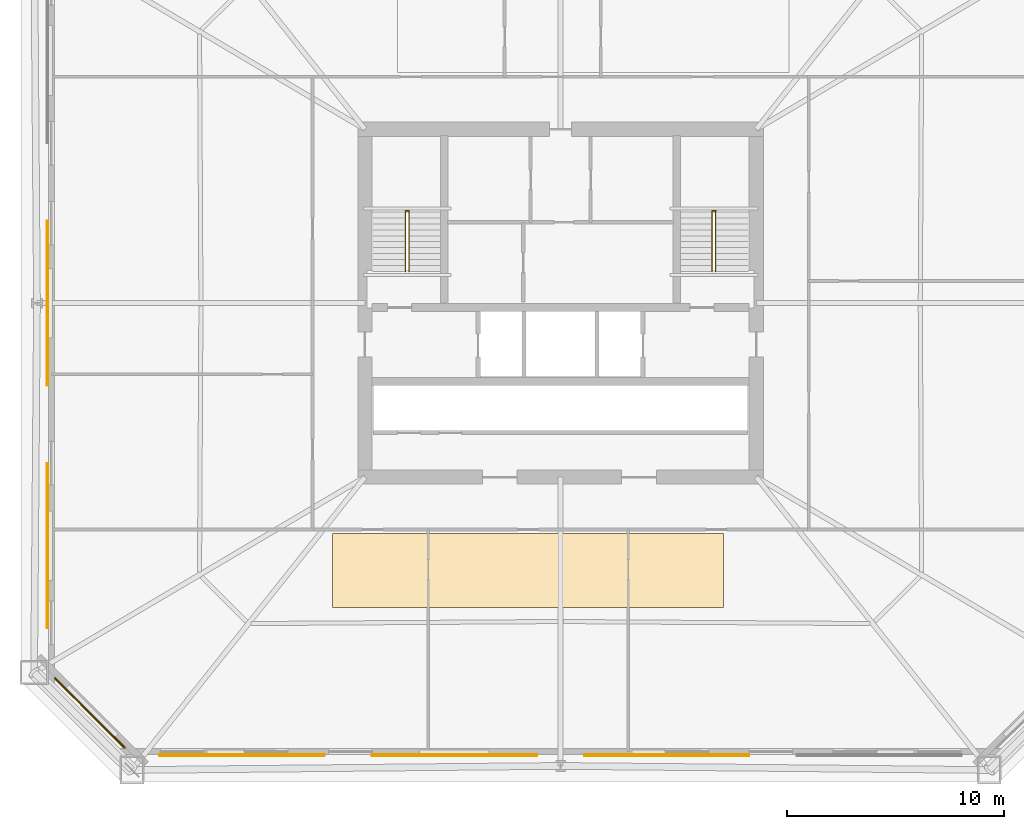
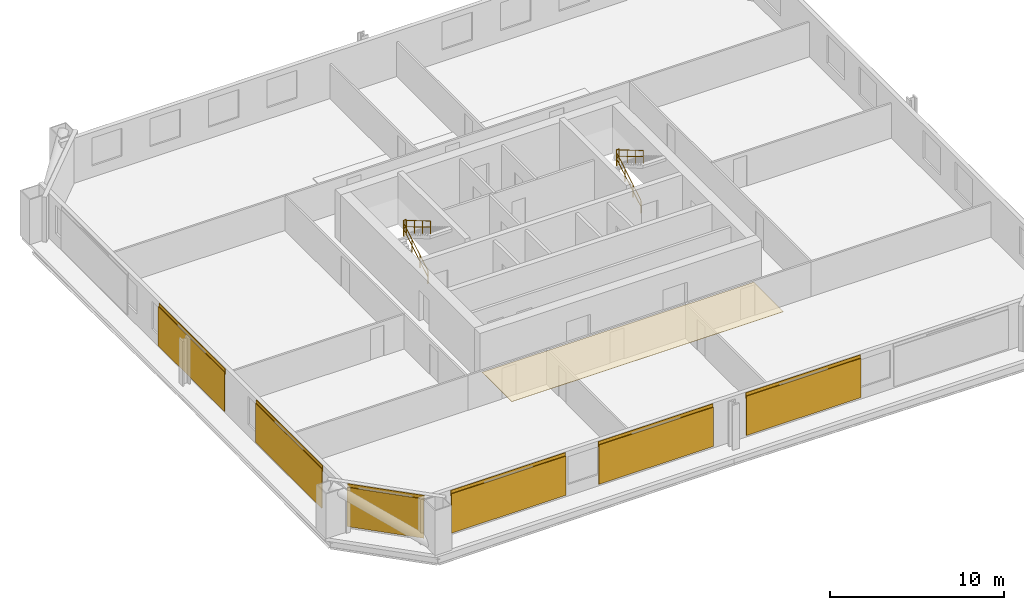
# One storey, part 6 of 7: 7 coverings, 6 railings, 6 shading devices.
"""IFC4 building model written with IfcOpenShell, lengths in metres."""

from ifc_helpers import new_model, si_unit, direction, frame, origin, origin_2d, place, context, subcontext, project, spatial, polyline, rectangle, circle, outline, extrude, material, layer, layer_set, type_object, element, save


model = new_model("IFC4")

# Units and contexts
model_context = context("Model", 3, precision=1e-05, world=origin(), true_north=direction((0.0, 1.0)))
body_context = subcontext(model_context, "Body", "Model", "MODEL_VIEW")
ifc_project = project(units=[si_unit("LENGTHUNIT", "METRE"), si_unit("AREAUNIT", "SQUARE_METRE"), si_unit("VOLUMEUNIT", "CUBIC_METRE"), si_unit("PLANEANGLEUNIT", "RADIAN"), si_unit("MASSUNIT", "GRAM", prefix="KILO")], contexts=[model_context])

# Site, building, storey
site_placement = place(None, origin())
site = spatial("IfcSite", under=ifc_project, at=site_placement, CompositionType="ELEMENT")
building_placement = place(site_placement, origin())
building = spatial("IfcBuilding", under=site, at=building_placement, Name="Caelvoria Tower", CompositionType="ELEMENT")
storey_placement = place(building_placement, frame((0.0, 0.0, 31.60009765625)))
storey = spatial("IfcBuildingStorey", under=building, at=storey_placement, Name="L07", CompositionType="ELEMENT", Elevation=31.60009765625)

# Coverings
ifc_material_1 = material(Name="Acoustic Mineral Fibre Tile", Category="gypsum")
ifc_layer_1 = layer(ifc_material_1, 0.02490234375, Name="Acoustic Mineral Fibre Tile")
ifc_layer_set_1 = layer_set([ifc_layer_1], Name="Mineral-Fibre Acoustic Suspended Ceiling 25 - Acoustic Mineral Fibre Tile")
covering_type_1 = type_object("IfcCoveringType", Name="Mineral-Fibre Acoustic Suspended Ceiling 25", PredefinedType="CEILING", material=ifc_layer_set_1)
covering_1_placement = place(storey_placement, frame((0.0, 0.0, 2.4248046875)))
element("IfcCovering", 1, at=covering_1_placement, inside=storey, type_object=covering_type_1, Name="Suspended Acoustic Ceiling L07", PredefinedType="CEILING", context=body_context, shape_type="SweptSolid", body=[
    extrude(outline(polyline([(35.5, 18.0), (53.5, 18.0), (53.5, 21.39990234375), (35.5, 21.39990234375), (35.5, 18.0)])), origin(), (0.0, 0.0, 1.0), 0.025146484375),
])
ifc_material_2 = material(Name="Perforated Architectural Bronze Cladding Screen", Category="bronze")
ifc_layer_2 = layer(ifc_material_2, 0.0400390625, Name="Perforated Architectural Bronze Cladding Screen")
ifc_layer_set_2 = layer_set([ifc_layer_2], Name="Perforated Bronze Louvre Cladding Band 40 - Perforated Architectural Bronze Cladding Screen")
covering_type_2 = type_object("IfcCoveringType", Name="Perforated Bronze Louvre Cladding Band 40", PredefinedType="CLADDING", material=ifc_layer_set_2)
for number, where, z_axis, x_axis, name in (
    (2, (31.344970703125, 11.22802734375, 2.72998046875), (0.0, 0.0, 1.0), (1.0, 0.0, 0.0), "Perforated Bronze Screen Band L07-E0-00"),
    (3, (41.114990234375, 11.22802734375, 2.72998046875), (0.0, 0.0, 1.0), (1.0, 0.0, 0.0), "Perforated Bronze Screen Band L07-E0-01"),
    (4, (50.885009765625, 11.22802734375, 2.72998046875), (0.0, 0.0, 1.0), (1.0, 0.0, 0.0), "Perforated Bronze Screen Band L07-E0-02"),
    (5, (22.427978515625, 32.0, 2.72998046875), (0.0, 0.0, 1.0), (0.0, -1.0, 0.0), "Perforated Bronze Screen Band L07-E6-01"),
    (6, (22.427978515625, 20.840087890625, 2.72998046875), (0.0, 0.0, 1.0), (0.0, -1.0, 0.0), "Perforated Bronze Screen Band L07-E6-02"),
):
    element("IfcCovering", number, at=place(storey_placement, frame(where, z_axis=z_axis, x_axis=x_axis)), inside=storey, type_object=covering_type_2, Name=name, PredefinedType="CLADDING", context=body_context, shape_type="SweptSolid", body=[
        extrude(rectangle(XDim=7.60009765625, YDim=0.0400390625, at=origin_2d()), origin(), (0.0, 0.0, 1.0), 0.39990234375),
    ])
covering_2_placement = place(storey_placement, frame((24.368408203125, 13.168212890625, 2.72998046875), z_axis=(0.0, 0.0, 1.0), x_axis=(0.707106781187, -0.707106781187, 0.0)))
element("IfcCovering", 7, at=covering_2_placement, inside=storey, type_object=covering_type_2, Name="Perforated Bronze Screen Band L07-E7-00", PredefinedType="CLADDING", context=body_context, shape_type="SweptSolid", body=[
    extrude(rectangle(XDim=4.56298828125, YDim=0.0400390625, at=origin_2d()), origin(), (0.0, 0.0, 1.0), 0.39990234375),
])

# Shading devices
ifc_material_3 = material(Name="Perforated Architectural Bronze Alloy Panel", Category="bronze")
ifc_layer_3 = layer(ifc_material_3, 0.044921875, Name="Perforated Architectural Bronze Alloy Panel")
ifc_layer_set_3 = layer_set([ifc_layer_3], Name="Perforated Bronze Solar Screen Panel SCREEN - Perforated Architectural Bronze Alloy Panel")
shading_device_type = type_object("IfcShadingDeviceType", Name="Perforated Bronze Solar Screen Panel SCREEN", PredefinedType="USERDEFINED", material=ifc_layer_set_3)
for number, where, z_axis, x_axis, name in (
    (8, (31.344970703125, 11.18505859375, 0.159912109375), (0.0, 0.0, 1.0), (1.0, 0.0, 0.0), "Perforated Bronze Solar Screen L07-E0-00"),
    (9, (41.114990234375, 11.18505859375, 0.159912109375), (0.0, 0.0, 1.0), (1.0, 0.0, 0.0), "Perforated Bronze Solar Screen L07-E0-01"),
    (10, (50.885009765625, 11.18505859375, 0.159912109375), (0.0, 0.0, 1.0), (1.0, 0.0, 0.0), "Perforated Bronze Solar Screen L07-E0-02"),
    (11, (22.385009765625, 32.0, 0.159912109375), (0.0, 0.0, 1.0), (0.0, -1.0, 0.0), "Perforated Bronze Solar Screen L07-E6-01"),
    (12, (22.385009765625, 20.840087890625, 0.159912109375), (0.0, 0.0, 1.0), (0.0, -1.0, 0.0), "Perforated Bronze Solar Screen L07-E6-02"),
):
    element("IfcShadingDevice", number, at=place(storey_placement, frame(where, z_axis=z_axis, x_axis=x_axis)), inside=storey, type_object=shading_device_type, Name=name, ObjectType="SCREEN", PredefinedType="USERDEFINED", context=body_context, shape_type="SweptSolid", body=[
        extrude(rectangle(XDim=7.60009765625, YDim=0.044921875, at=origin_2d()), origin(), (0.0, 0.0, 1.0), 2.75),
    ])
shading_device_placement = place(storey_placement, frame((24.337890625, 13.137939453125, 0.159912109375), z_axis=(0.0, 0.0, 1.0), x_axis=(0.707106781187, -0.707106781187, 0.0)))
element("IfcShadingDevice", 13, at=shading_device_placement, inside=storey, type_object=shading_device_type, Name="Perforated Bronze Solar Screen L07-E7-00", ObjectType="SCREEN", PredefinedType="USERDEFINED", context=body_context, shape_type="SweptSolid", body=[
    extrude(rectangle(XDim=4.56298828125, YDim=0.044921875, at=origin_2d()), origin(), (0.0, 0.0, 1.0), 2.75),
])

# Railings
ifc_material_4 = material(Name="Brushed Stainless Steel Tube", Category="steel")
railing_type_1 = type_object("IfcRailingType", Name="Stair Tubular Stainless Handrail 920", PredefinedType="HANDRAIL", material=ifc_material_4)
railing_1_placement = place(storey_placement, frame((38.8701171875, 33.449951171875, 0.16357421875)))
element("IfcRailing", 14, at=railing_1_placement, inside=storey, type_object=railing_type_1, Name="ST-01 Flight 1 Handrail L07", PredefinedType="HANDRAIL", context=body_context, shape_type="SweptSolid", body=[
    extrude(circle(Radius=0.02392578125, at=origin_2d()), frame((0.0, 0.0, 0.89599609375), z_axis=(0.0, 0.859385484447, 0.511328259656), x_axis=(-1.0, 0.0, 0.0)), (0.0, 0.0, 1.0), 3.199951171875),
    extrude(circle(Radius=0.02392578125, at=origin_2d()), frame((0.0, 0.0, 0.4599609375), z_axis=(0.0, 0.859385484447, 0.511328259656), x_axis=(-1.0, 0.0, 0.0)), (0.0, 0.0, 1.0), 3.199951171875),
    extrude(circle(Radius=0.02099609375, at=origin_2d()), origin(), (0.0, 0.0, 1.0), 0.871826171875),
    extrude(circle(Radius=0.02099609375, at=origin_2d()), frame((0.0, 0.916748046875, 0.54541015625)), (0.0, 0.0, 1.0), 0.871826171875),
    extrude(circle(Radius=0.02099609375, at=origin_2d()), frame((0.0, 1.833251953125, 1.0908203125)), (0.0, 0.0, 1.0), 0.871826171875),
    extrude(circle(Radius=0.02099609375, at=origin_2d()), frame((0.0, 2.75, 1.63623046875)), (0.0, 0.0, 1.0), 0.871826171875),
])
railing_2_placement = place(storey_placement, frame((39.030029296875, 36.199951171875, 1.963623046875)))
element("IfcRailing", 15, at=railing_2_placement, inside=storey, type_object=railing_type_1, Name="ST-01 Flight 2 Handrail L07", PredefinedType="HANDRAIL", context=body_context, shape_type="SweptSolid", body=[
    extrude(circle(Radius=0.02392578125, at=origin_2d()), frame((0.0, 0.0, 0.89599609375), z_axis=(0.0, -0.859385484447, 0.511328259656), x_axis=(1.0, 0.0, 0.0)), (0.0, 0.0, 1.0), 3.199951171875),
    extrude(circle(Radius=0.02392578125, at=origin_2d()), frame((0.0, 0.0, 0.4599609375), z_axis=(0.0, -0.859385484447, 0.511328259656), x_axis=(1.0, 0.0, 0.0)), (0.0, 0.0, 1.0), 3.199951171875),
    extrude(circle(Radius=0.02099609375, at=origin_2d()), origin(), (0.0, 0.0, 1.0), 0.871826171875),
    extrude(circle(Radius=0.02099609375, at=origin_2d()), frame((0.0, -0.916748046875, 0.54541015625)), (0.0, 0.0, 1.0), 0.871826171875),
    extrude(circle(Radius=0.02099609375, at=origin_2d()), frame((0.0, -1.833251953125, 1.0908203125)), (0.0, 0.0, 1.0), 0.871826171875),
    extrude(circle(Radius=0.02099609375, at=origin_2d()), frame((0.0, -2.75, 1.63623046875)), (0.0, 0.0, 1.0), 0.871826171875),
])
railing_3_placement = place(storey_placement, frame((52.969970703125, 33.449951171875, 0.16357421875)))
element("IfcRailing", 16, at=railing_3_placement, inside=storey, type_object=railing_type_1, Name="ST-02 Flight 1 Handrail L07", PredefinedType="HANDRAIL", context=body_context, shape_type="SweptSolid", body=[
    extrude(circle(Radius=0.02392578125, at=origin_2d()), frame((0.0, 0.0, 0.89599609375), z_axis=(0.0, 0.859385484447, 0.511328259656), x_axis=(-1.0, 0.0, 0.0)), (0.0, 0.0, 1.0), 3.199951171875),
    extrude(circle(Radius=0.02392578125, at=origin_2d()), frame((0.0, 0.0, 0.4599609375), z_axis=(0.0, 0.859385484447, 0.511328259656), x_axis=(-1.0, 0.0, 0.0)), (0.0, 0.0, 1.0), 3.199951171875),
    extrude(circle(Radius=0.02099609375, at=origin_2d()), origin(), (0.0, 0.0, 1.0), 0.871826171875),
    extrude(circle(Radius=0.02099609375, at=origin_2d()), frame((0.0, 0.916748046875, 0.54541015625)), (0.0, 0.0, 1.0), 0.871826171875),
    extrude(circle(Radius=0.02099609375, at=origin_2d()), frame((0.0, 1.833251953125, 1.0908203125)), (0.0, 0.0, 1.0), 0.871826171875),
    extrude(circle(Radius=0.02099609375, at=origin_2d()), frame((0.0, 2.75, 1.63623046875)), (0.0, 0.0, 1.0), 0.871826171875),
])
railing_4_placement = place(storey_placement, frame((53.1298828125, 36.199951171875, 1.963623046875)))
element("IfcRailing", 17, at=railing_4_placement, inside=storey, type_object=railing_type_1, Name="ST-02 Flight 2 Handrail L07", PredefinedType="HANDRAIL", context=body_context, shape_type="SweptSolid", body=[
    extrude(circle(Radius=0.02392578125, at=origin_2d()), frame((0.0, 0.0, 0.89599609375), z_axis=(0.0, -0.859385484447, 0.511328259656), x_axis=(1.0, 0.0, 0.0)), (0.0, 0.0, 1.0), 3.199951171875),
    extrude(circle(Radius=0.02392578125, at=origin_2d()), frame((0.0, 0.0, 0.4599609375), z_axis=(0.0, -0.859385484447, 0.511328259656), x_axis=(1.0, 0.0, 0.0)), (0.0, 0.0, 1.0), 3.199951171875),
    extrude(circle(Radius=0.02099609375, at=origin_2d()), origin(), (0.0, 0.0, 1.0), 0.871826171875),
    extrude(circle(Radius=0.02099609375, at=origin_2d()), frame((0.0, -0.916748046875, 0.54541015625)), (0.0, 0.0, 1.0), 0.871826171875),
    extrude(circle(Radius=0.02099609375, at=origin_2d()), frame((0.0, -1.833251953125, 1.0908203125)), (0.0, 0.0, 1.0), 0.871826171875),
    extrude(circle(Radius=0.02099609375, at=origin_2d()), frame((0.0, -2.75, 1.63623046875)), (0.0, 0.0, 1.0), 0.871826171875),
])
ifc_material_5 = material(Name="Brushed Stainless Steel Guardrail", Category="steel")
railing_type_2 = type_object("IfcRailingType", Name="Stair Well and Ramp Guardrail 1120", PredefinedType="GUARDRAIL", material=ifc_material_5)
for number, where, name in (
    (18, (38.8701171875, 36.239990234375, 1.7998046875), "ST-01 Half-Landing Well Guard L07"),
    (19, (52.969970703125, 36.239990234375, 1.7998046875), "ST-02 Half-Landing Well Guard L07"),
):
    element("IfcRailing", number, at=place(storey_placement, frame(where)), inside=storey, type_object=railing_type_2, Name=name, PredefinedType="GUARDRAIL", context=body_context, shape_type="SweptSolid", body=[
        extrude(circle(Radius=0.02392578125, at=origin_2d()), frame((0.0, 0.0, 1.09619140625), z_axis=(1.0, 0.0, 0.0), x_axis=(0.0, 1.0, 0.0)), (0.0, 0.0, 1.0), 0.159912109375),
        extrude(circle(Radius=0.02392578125, at=origin_2d()), frame((0.0, 0.0, 0.56005859375), z_axis=(1.0, 0.0, 0.0), x_axis=(0.0, 1.0, 0.0)), (0.0, 0.0, 1.0), 0.159912109375),
        extrude(circle(Radius=0.02099609375, at=origin_2d()), origin(), (0.0, 0.0, 1.0), 1.072021484375),
        extrude(circle(Radius=0.02099609375, at=origin_2d()), frame((0.159912109375, 0.0, 0.0)), (0.0, 0.0, 1.0), 1.072021484375),
    ])

save(model, "model.ifc")
